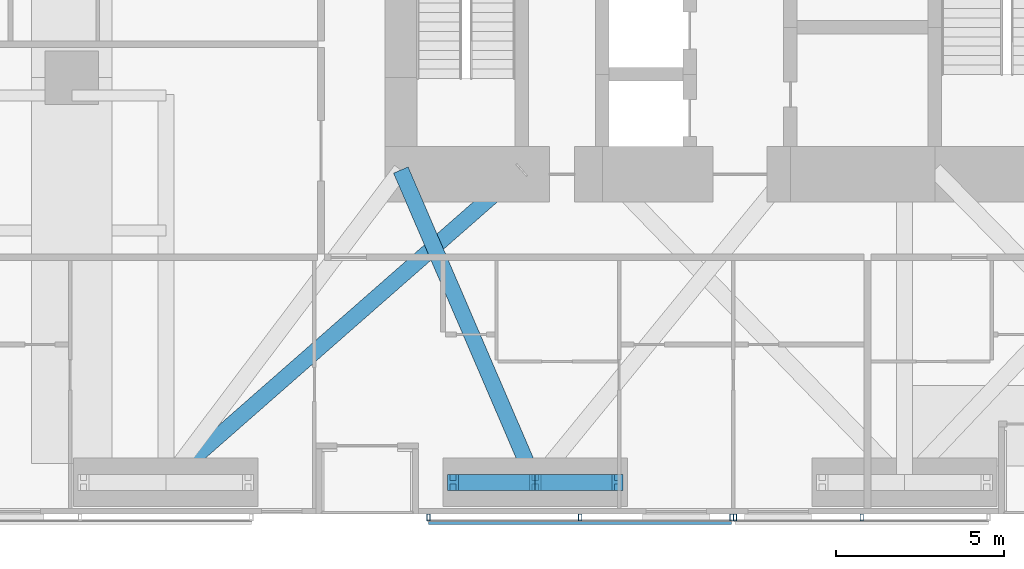
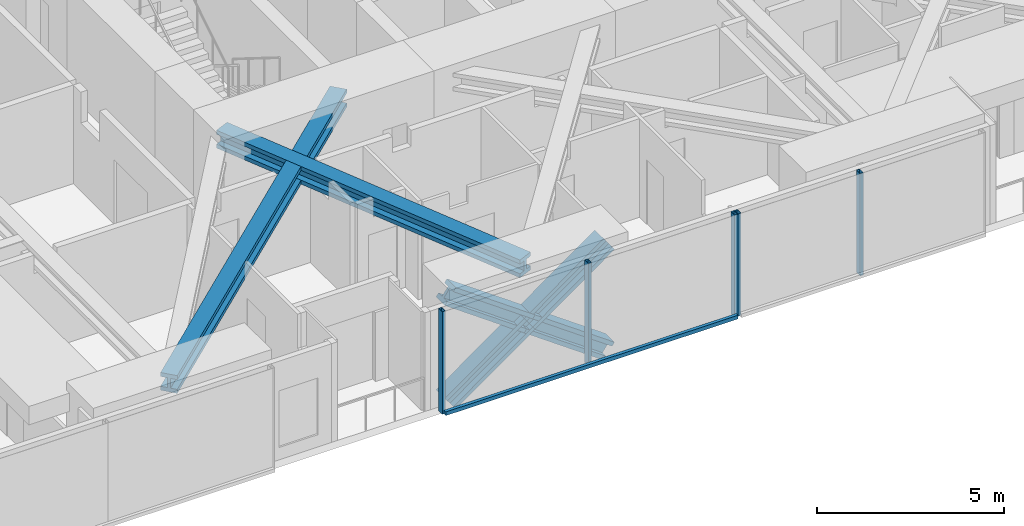
# One storey, part 4 of 22: 12 members, 2 elements without a shape of their own.
"""IFC4 building model written with IfcOpenShell, lengths in metres."""

from ifc_helpers import new_model, si_unit, direction, frame, origin, origin_2d, place, context, subcontext, project, spatial, rectangle, hollow_rectangle, i_section, extrude, material, material_profile, profile_set, type_object, element, aggregate, save


model = new_model("IFC4")

# Units and contexts
model_context = context("Model", 3, precision=1e-05, world=origin(), true_north=direction((0.0, 1.0)))
body_context = subcontext(model_context, "Body", "Model", "MODEL_VIEW")
ifc_project = project(units=[si_unit("LENGTHUNIT", "METRE"), si_unit("AREAUNIT", "SQUARE_METRE"), si_unit("VOLUMEUNIT", "CUBIC_METRE"), si_unit("PLANEANGLEUNIT", "RADIAN"), si_unit("MASSUNIT", "GRAM", prefix="KILO")], contexts=[model_context])

# Site, building, storey
site_placement = place(None, origin())
site = spatial("IfcSite", under=ifc_project, at=site_placement, CompositionType="ELEMENT")
building_placement = place(site_placement, origin())
building = spatial("IfcBuilding", under=site, at=building_placement, Name="Jalousie Tower", CompositionType="ELEMENT")
storey_placement = place(building_placement, frame((0.0, 0.0, 71.25)))
storey = spatial("IfcBuildingStorey", under=building, at=storey_placement, Name="L19", CompositionType="ELEMENT", Elevation=71.25)

# Members
ifc_material_1 = material(Name="Steel ASTM A992 Grade 50", Category="steel")
ifc_material_profile_1 = material_profile(ifc_material_1, i_section(OverallWidth=0.472412109375, OverallDepth=0.5791015625, WebThickness=0.094970703125, FlangeThickness=0.1298828125, at=origin_2d()), Name="W14X808")
ifc_profile_set_1 = profile_set([ifc_material_profile_1], Name="Steel ASTM A992 Grade 50")
member_type_1 = type_object("IfcMemberType", Name="KINK FLOOR TRUSS DIAGONAL W14X808", PredefinedType="BRACE", material=ifc_profile_set_1)
member_1_placement = place(storey_placement, frame((13.0, 0.949951171875, 2.930419921875), z_axis=(0.751698729308, 0.659506649213, 0.0), x_axis=(-0.659506649213, 0.751698729308, 0.0)))
element("IfcMember", 1, at=member_1_placement, inside=storey, type_object=member_type_1, Name="Kink floor truss L20 02 diagonal", PredefinedType="BRACE", context=body_context, shape_type="SweptSolid", body=[
    extrude(i_section(OverallWidth=0.472412109375, OverallDepth=0.5791015625, WebThickness=0.094970703125, FlangeThickness=0.1298828125, at=origin_2d()), origin(), (0.0, 0.0, 1.0), 14.1015625),
])
member_2_placement = place(storey_placement, frame((24.0, 0.949951171875, 2.930419921875), z_axis=(-0.395109362234, 0.918634090307, 0.0), x_axis=(-0.918634090307, -0.395109362234, 0.0)))
element("IfcMember", 2, at=member_2_placement, inside=storey, type_object=member_type_1, Name="Kink floor truss L20 03 diagonal", PredefinedType="BRACE", context=body_context, shape_type="SweptSolid", body=[
    extrude(i_section(OverallWidth=0.472412109375, OverallDepth=0.5791015625, WebThickness=0.094970703125, FlangeThickness=0.1298828125, at=origin_2d()), origin(), (0.0, 0.0, 1.0), 10.123779296875),
])
ifc_material_2 = material(Name="Steel ASTM A992 Grade 50", Category="steel")
ifc_material_profile_2 = material_profile(ifc_material_2, i_section(OverallWidth=0.472412109375, OverallDepth=0.5791015625, WebThickness=0.094970703125, FlangeThickness=0.1298828125, at=origin_2d()), Name="W14X808")
ifc_profile_set_2 = profile_set([ifc_material_profile_2], Name="Steel ASTM A992 Grade 50")
member_type_2 = type_object("IfcMemberType", Name="PERIMETER BRACE W14X808", PredefinedType="BRACE", material=ifc_profile_set_2)
for number, where, z_axis, x_axis, name in (
    (3, (21.550048828125, 0.949951171875, -0.60009765625), (0.813727992185, 0.0, 0.581245864273), (0.0, 1.0, 0.0), "Perimeter brace 03 L19 part 1"),
    (4, (24.0, 0.949951171875, 1.14990234375), (0.813727992185, 0.0, 0.581245864273), (0.0, 1.0, 0.0), "Perimeter brace 03 L19 part 2"),
    (5, (26.449951171875, 0.949951171875, -0.60009765625), (-0.813727992185, 0.0, 0.581245864273), (0.0, -1.0, 0.0), "Perimeter brace 03 L19 part 3"),
    (6, (24.0, 0.949951171875, 1.14990234375), (-0.813727992185, 0.0, 0.581245864273), (0.0, -1.0, 0.0), "Perimeter brace 03 L19 part 4"),
):
    element("IfcMember", number, at=place(storey_placement, frame(where, z_axis=z_axis, x_axis=x_axis)), inside=storey, type_object=member_type_2, Name=name, PredefinedType="BRACE", context=body_context, shape_type="SweptSolid", body=[
        extrude(i_section(OverallWidth=0.472412109375, OverallDepth=0.5791015625, WebThickness=0.094970703125, FlangeThickness=0.1298828125, at=origin_2d()), origin(), (0.0, 0.0, 1.0), 3.0107421875),
    ])

# Curtain wall, members
ifc_material_3 = material(Name="Perforated aluminium sheet", Category="aluminium")
curtain_wall_type = type_object("IfcCurtainWallType", Name="SOLAR SCREEN SS-2", PredefinedType="USERDEFINED", material=ifc_material_3)
curtain_wall_1_placement = place(storey_placement, origin())
curtain_wall_1 = element("IfcCurtainWall", 7, at=curtain_wall_1_placement, inside=storey, type_object=curtain_wall_type, Name="Solar screen L19", ObjectType="SOLAR SCREEN SS-2", PredefinedType="USERDEFINED")
ifc_material_4 = material(Name="Steel ASTM A500 Grade C", Category="steel")
ifc_material_profile_3 = material_profile(ifc_material_4, hollow_rectangle(XDim=0.1015625, YDim=0.203125, WallThickness=0.0078125, at=origin_2d()), Name="HSS8X4X5/16")
ifc_profile_set_3 = profile_set([ifc_material_profile_3], Name="Steel ASTM A500 Grade C")
member_type_3 = type_object("IfcMemberType", Name="SOLAR SCREEN SS-2 MULLION", PredefinedType="MULLION", material=ifc_profile_set_3)
member_3_placement = place(storey_placement, frame((20.824951171875, -0.0966796875, -0.1201171875), z_axis=(0.0, 0.0, 1.0), x_axis=(1.0, 0.0, 0.0)))
member_3 = element("IfcMember", 8, at=member_3_placement, type_object=member_type_3, Name="SS2 post 1", PredefinedType="MULLION", context=body_context, shape_type="SweptSolid", body=[
    extrude(hollow_rectangle(XDim=0.1015625, YDim=0.203125, WallThickness=0.0078125, at=origin_2d()), origin(), (0.0, 0.0, 1.0), 3.340087890625),
])
member_4_placement = place(storey_placement, frame((25.33740234375, -0.0966796875, -0.1201171875), z_axis=(0.0, 0.0, 1.0), x_axis=(1.0, 0.0, 0.0)))
member_4 = element("IfcMember", 9, at=member_4_placement, type_object=member_type_3, Name="SS2 post 2", PredefinedType="MULLION", context=body_context, shape_type="SweptSolid", body=[
    extrude(hollow_rectangle(XDim=0.1015625, YDim=0.203125, WallThickness=0.0078125, at=origin_2d()), origin(), (0.0, 0.0, 1.0), 3.340087890625),
])
member_5_placement = place(storey_placement, frame((29.85009765625, -0.0966796875, -0.1201171875), z_axis=(0.0, 0.0, 1.0), x_axis=(1.0, 0.0, 0.0)))
member_5 = element("IfcMember", 10, at=member_5_placement, type_object=member_type_3, Name="SS2 post 3", PredefinedType="MULLION", context=body_context, shape_type="SweptSolid", body=[
    extrude(hollow_rectangle(XDim=0.1015625, YDim=0.203125, WallThickness=0.0078125, at=origin_2d()), origin(), (0.0, 0.0, 1.0), 3.340087890625),
])

curtain_wall_2_placement = place(storey_placement, origin())
curtain_wall_2 = element("IfcCurtainWall", 11, at=curtain_wall_2_placement, inside=storey, type_object=curtain_wall_type, Name="Solar screen L19", ObjectType="SOLAR SCREEN SS-2", PredefinedType="USERDEFINED")
member_6_placement = place(storey_placement, frame((29.949951171875, -0.0966796875, -0.1201171875), z_axis=(0.0, 0.0, 1.0), x_axis=(1.0, 0.0, 0.0)))
member_6 = element("IfcMember", 12, at=member_6_placement, type_object=member_type_3, Name="SS2 post 1", PredefinedType="MULLION", context=body_context, shape_type="SweptSolid", body=[
    extrude(hollow_rectangle(XDim=0.1015625, YDim=0.203125, WallThickness=0.0078125, at=origin_2d()), origin(), (0.0, 0.0, 1.0), 3.340087890625),
])
member_7_placement = place(storey_placement, frame((33.72509765625, -0.0966796875, -0.1201171875), z_axis=(0.0, 0.0, 1.0), x_axis=(1.0, 0.0, 0.0)))
member_7 = element("IfcMember", 13, at=member_7_placement, type_object=member_type_3, Name="SS2 post 2", PredefinedType="MULLION", context=body_context, shape_type="SweptSolid", body=[
    extrude(hollow_rectangle(XDim=0.1015625, YDim=0.203125, WallThickness=0.0078125, at=origin_2d()), origin(), (0.0, 0.0, 1.0), 3.340087890625),
])
aggregate(curtain_wall_2, [member_6, member_7])

# Member
ifc_material_5 = material(Name="Extruded aluminium screen rail", Category="aluminium")
ifc_material_profile_4 = material_profile(ifc_material_5, rectangle(XDim=0.1015625, YDim=0.1201171875, at=origin_2d()), Name="RAIL 102x120")
ifc_profile_set_4 = profile_set([ifc_material_profile_4], Name="Extruded aluminium screen rail")
member_type_4 = type_object("IfcMemberType", Name="SOLAR SCREEN SS-2 TRANSOM", PredefinedType="USERDEFINED", material=ifc_profile_set_4)
member_8_placement = place(storey_placement, frame((20.824951171875, -0.2490234375, -0.06005859375), z_axis=(1.0, 0.0, 0.0), x_axis=(0.0, 1.0, 0.0)))
member_8 = element("IfcMember", 14, at=member_8_placement, type_object=member_type_4, Name="SS2 rail", ObjectType="TRANSOM", PredefinedType="USERDEFINED", context=body_context, shape_type="SweptSolid", body=[
    extrude(rectangle(XDim=0.1015625, YDim=0.1201171875, at=origin_2d()), origin(), (0.0, 0.0, 1.0), 9.025146484375),
])

aggregate(curtain_wall_1, [member_3, member_4, member_5, member_8])

save(model, "model.ifc")
